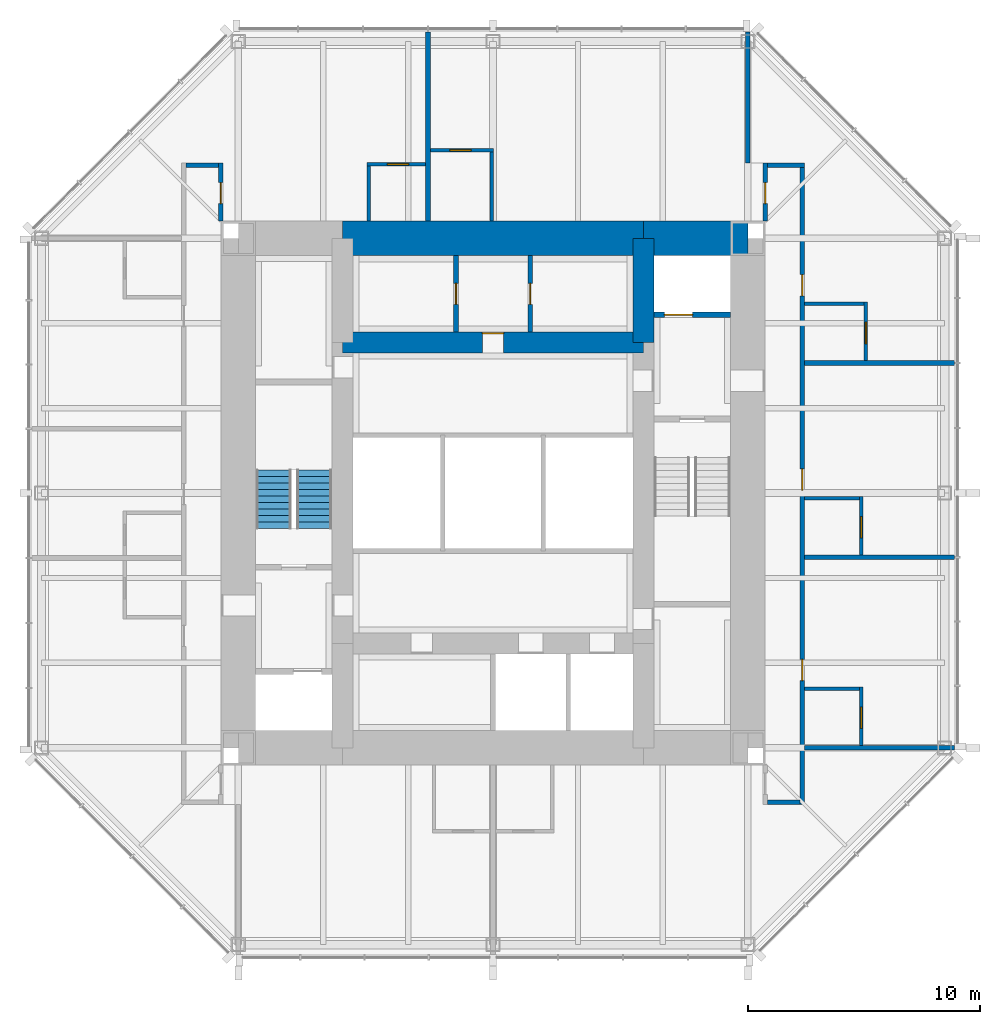
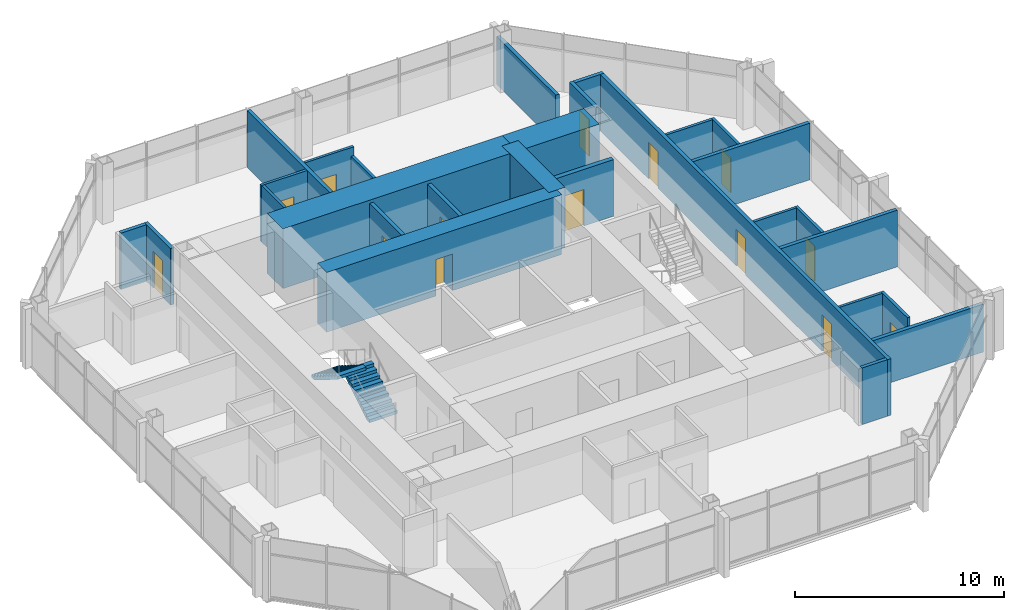
# One storey, part 9 of 11: 28 walls, 14 doors, 2 stair flights, 14 openings, 1 element without a shape of its own.
"""IFC4 building model written with IfcOpenShell, lengths in metres."""

from ifc_helpers import new_model, si_unit, direction, frame, frame_2d, origin, place, context, subcontext, project, spatial, polyline, rectangle, outline, extrude, material, layer, layer_set, type_object, element, fill, aggregate, save


model = new_model("IFC4")

# Units and contexts
model_context = context("Model", 3, precision=1e-05, world=origin(), true_north=direction((0.0, 1.0)))
body_context = subcontext(model_context, "Body", "Model", "MODEL_VIEW")
ifc_project = project(units=[si_unit("LENGTHUNIT", "METRE"), si_unit("AREAUNIT", "SQUARE_METRE"), si_unit("VOLUMEUNIT", "CUBIC_METRE"), si_unit("PLANEANGLEUNIT", "RADIAN"), si_unit("MASSUNIT", "GRAM", prefix="KILO")], contexts=[model_context])

# Site, building, storey
site_placement = place(None, origin())
site = spatial("IfcSite", under=ifc_project, at=site_placement, CompositionType="ELEMENT")
building_placement = place(site_placement, origin())
building = spatial("IfcBuilding", under=site, at=building_placement, Name="Trevanion Tower", CompositionType="ELEMENT")
storey_placement = place(building_placement, frame((0.0, 0.0, 239.699951171875)))
storey = spatial("IfcBuildingStorey", under=building, at=storey_placement, Name="L58", CompositionType="ELEMENT", Elevation=239.699951171875)

# Walls
ifc_material_1 = material(Name="Concrete 10,000 psi", Category="concrete")
ifc_layer_1 = layer(ifc_material_1, 1.5)
ifc_layer_set_1 = layer_set([ifc_layer_1], Name="CW1 core wall 1500")
wall_type_1 = type_object("IfcWallType", Name="CW1 core wall 1500", PredefinedType="SHEAR", material=ifc_layer_set_1)
wall_1_placement = place(storey_placement, frame((11.0, 11.0, 0.0), z_axis=(0.0, 0.0, 1.0), x_axis=(-1.0, 0.0, 0.0)))
element("IfcWall", 1, at=wall_1_placement, inside=storey, type_object=wall_type_1, Name="CW1 CN1 L58", PredefinedType="SHEAR", context=body_context, shape_type="SweptSolid", body=[
    extrude(rectangle(XDim=4.5, YDim=1.5, at=frame_2d((2.25, 0.0))), origin(), (0.0, 0.0, 1.0), 3.5),
])
wall_2_placement = place(storey_placement, frame((6.5, 11.0, 0.0), z_axis=(0.0, 0.0, 1.0), x_axis=(-1.0, 0.0, 0.0)))
element("IfcWall", 2, at=wall_2_placement, inside=storey, type_object=wall_type_1, Name="CW1 CN2 L58", PredefinedType="SHEAR", context=body_context, shape_type="SweptSolid", body=[
    extrude(rectangle(XDim=13.0, YDim=1.5, at=frame_2d((6.5, 0.0))), origin(), (0.0, 0.0, 1.0), 3.5),
])
ifc_material_2 = material(Name="Concrete 10,000 psi", Category="concrete")
ifc_layer_2 = layer(ifc_material_2, 0.89990234375)
ifc_layer_set_2 = layer_set([ifc_layer_2], Name="CW2 core wall 900")
wall_type_2 = type_object("IfcWallType", Name="CW2 core wall 900", PredefinedType="SHEAR", material=ifc_layer_set_2)
wall_3_placement = place(storey_placement, frame((6.5, 6.5, 0.0), z_axis=(0.0, 0.0, 1.0), x_axis=(0.0, 1.0, 0.0)))
element("IfcWall", 3, at=wall_3_placement, inside=storey, type_object=wall_type_2, Name="CW2 RE3 L58", PredefinedType="SHEAR", context=body_context, shape_type="SweptSolid", body=[
    extrude(rectangle(XDim=4.5, YDim=0.89990234375, at=frame_2d((2.25, 0.0))), origin(), (0.0, 0.0, 1.0), 3.5),
])

# Wall, opening, door
wall_4_placement = place(storey_placement, frame((6.5, 6.5, 0.0), z_axis=(0.0, 0.0, 1.0), x_axis=(-1.0, 0.0, 0.0)))
wall_4 = element("IfcWall", 4, at=wall_4_placement, inside=storey, type_object=wall_type_2, Name="CW2 RN L58", PredefinedType="SHEAR", context=body_context, shape_type="SweptSolid", body=[
    extrude(rectangle(XDim=13.0, YDim=0.89990234375, at=frame_2d((6.5, 0.0))), origin(), (0.0, 0.0, 1.0), 3.5),
])
opening_1_placement = place(wall_4_placement, frame((6.04248046875, 0.0, 0.0)))
opening_1 = element("IfcOpeningElement", 5, at=opening_1_placement, cuts=wall_4, Name="Opening 58-014", PredefinedType="OPENING", context=body_context, shape_type="SweptSolid", body=[
    extrude(rectangle(XDim=0.9150390625, YDim=2.134033203125, at=frame_2d((0.45751953125, 1.06689453125))), frame((0.0, 0.4599609375, 0.0), z_axis=(0.0, -1.0, 0.0), x_axis=(1.0, 0.0, 0.0)), (0.0, 0.0, 1.0), 0.919921875),
])
ifc_material_3 = material(Name="Hollow metal, fire rated", Category="steel")
door_type_1 = type_object("IfcDoorType", Name="D5 service room door", OperationType="SINGLE_SWING_RIGHT", PredefinedType="DOOR", material=ifc_material_3)
door_1_placement = place(opening_1_placement, origin())
door_1 = element("IfcDoor", 6, at=door_1_placement, inside=storey, type_object=door_type_1, Name="Door 58-014", OperationType="SINGLE_SWING_RIGHT", OverallHeight=2.134033203125, OverallWidth=0.9150390625, PredefinedType="DOOR", context=body_context, shape_type="SweptSolid", body=[
    extrude(rectangle(XDim=0.9150390625, YDim=2.134033203125, at=frame_2d((0.45751953125, 1.06689453125))), frame((0.0, -0.375, 0.0), z_axis=(0.0, -1.0, 0.0), x_axis=(1.0, 0.0, 0.0)), (0.0, 0.0, 1.0), 0.050048828125),
])
fill(opening_1, door_1)

ifc_material_4 = material(Name="Gypsum board on steel studs", Category="steel")
ifc_layer_3 = layer(ifc_material_4, 0.14990234375)
ifc_layer_set_3 = layer_set([ifc_layer_3], Name="PT1 partition 150")
wall_type_3 = type_object("IfcWallType", Name="PT1 partition 150", PredefinedType="PARTITIONING", material=ifc_layer_set_3)
wall_5_placement = place(storey_placement, frame((15.89990234375, -10.89990234375, 0.0), z_axis=(0.0, 0.0, 1.0), x_axis=(0.0, 1.0, 0.0)))
wall_5 = element("IfcWall", 7, at=wall_5_placement, inside=storey, type_object=wall_type_3, Name="PT1 L58 BA00", PredefinedType="PARTITIONING", context=body_context, shape_type="SweptSolid", body=[
    extrude(rectangle(XDim=2.52490234375, YDim=0.14990234375, at=frame_2d((1.262451171875, 0.0))), origin(), (0.0, 0.0, 1.0), 3.31005859375),
])
opening_2_placement = place(wall_5_placement, frame((0.742431640625, 0.0, 0.0)))
opening_2 = element("IfcOpeningElement", 8, at=opening_2_placement, cuts=wall_5, Name="Opening 58-017", PredefinedType="OPENING", context=body_context, shape_type="SweptSolid", body=[
    extrude(rectangle(XDim=0.9150390625, YDim=2.031982421875, at=frame_2d((0.45751953125, 1.01611328125))), frame((0.0, 0.0849609375, 0.0), z_axis=(0.0, -1.0, 0.0), x_axis=(1.0, 0.0, 0.0)), (0.0, 0.0, 1.0), 0.169921875),
])
ifc_material_5 = material(Name="Timber veneer", Category="wood")
door_type_2 = type_object("IfcDoorType", Name="D7 bathroom door", OperationType="SINGLE_SWING_LEFT", PredefinedType="DOOR", material=ifc_material_5)
door_2_placement = place(opening_2_placement, origin())
door_2 = element("IfcDoor", 9, at=door_2_placement, inside=storey, type_object=door_type_2, Name="Door 58-017", OperationType="SINGLE_SWING_LEFT", OverallHeight=2.031982421875, OverallWidth=0.9150390625, PredefinedType="DOOR", context=body_context, shape_type="SweptSolid", body=[
    extrude(rectangle(XDim=0.9150390625, YDim=2.031982421875, at=frame_2d((0.45751953125, 1.01611328125))), frame((0.0, 0.02490234375, 0.0), z_axis=(0.0, -1.0, 0.0), x_axis=(1.0, 0.0, 0.0)), (0.0, 0.0, 1.0), 0.050048828125),
])
fill(opening_2, door_2)

# Wall
wall_6_placement = place(storey_placement, frame((13.449951171875, -8.449951171875, 0.0), z_axis=(0.0, 0.0, 1.0), x_axis=(1.0, 0.0, 0.0)))
element("IfcWall", 10, at=wall_6_placement, inside=storey, type_object=wall_type_3, Name="PT1 L58 BB00", PredefinedType="PARTITIONING", context=body_context, shape_type="SweptSolid", body=[
    extrude(rectangle(XDim=2.375, YDim=0.14990234375, at=frame_2d((1.1875, 0.0))), origin(), (0.0, 0.0, 1.0), 3.31005859375),
])

# Wall, opening, door
wall_7_placement = place(storey_placement, frame((15.89990234375, -2.675048828125, 0.0), z_axis=(0.0, 0.0, 1.0), x_axis=(0.0, 1.0, 0.0)))
wall_7 = element("IfcWall", 11, at=wall_7_placement, inside=storey, type_object=wall_type_3, Name="PT1 L58 BA01", PredefinedType="PARTITIONING", context=body_context, shape_type="SweptSolid", body=[
    extrude(rectangle(XDim=2.525146484375, YDim=0.14990234375, at=frame_2d((1.2626953125, 0.0))), origin(), (0.0, 0.0, 1.0), 3.31005859375),
])
opening_3_placement = place(wall_7_placement, frame((0.742431640625, 0.0, 0.0)))
opening_3 = element("IfcOpeningElement", 12, at=opening_3_placement, cuts=wall_7, Name="Opening 58-019", PredefinedType="OPENING", context=body_context, shape_type="SweptSolid", body=[
    extrude(rectangle(XDim=0.9150390625, YDim=2.031982421875, at=frame_2d((0.45751953125, 1.01611328125))), frame((0.0, 0.0849609375, 0.0), z_axis=(0.0, -1.0, 0.0), x_axis=(1.0, 0.0, 0.0)), (0.0, 0.0, 1.0), 0.169921875),
])
door_3_placement = place(opening_3_placement, origin())
door_3 = element("IfcDoor", 13, at=door_3_placement, inside=storey, type_object=door_type_2, Name="Door 58-019", OperationType="SINGLE_SWING_LEFT", OverallHeight=2.031982421875, OverallWidth=0.9150390625, PredefinedType="DOOR", context=body_context, shape_type="SweptSolid", body=[
    extrude(rectangle(XDim=0.9150390625, YDim=2.031982421875, at=frame_2d((0.45751953125, 1.01611328125))), frame((0.0, 0.02490234375, 0.0), z_axis=(0.0, -1.0, 0.0), x_axis=(1.0, 0.0, 0.0)), (0.0, 0.0, 1.0), 0.050048828125),
])
fill(opening_3, door_3)

# Wall
wall_8_placement = place(storey_placement, frame((13.449951171875, -0.22509765625, 0.0), z_axis=(0.0, 0.0, 1.0), x_axis=(1.0, 0.0, 0.0)))
element("IfcWall", 14, at=wall_8_placement, inside=storey, type_object=wall_type_3, Name="PT1 L58 BB01", PredefinedType="PARTITIONING", context=body_context, shape_type="SweptSolid", body=[
    extrude(rectangle(XDim=2.375, YDim=0.14990234375, at=frame_2d((1.1875, 0.0))), origin(), (0.0, 0.0, 1.0), 3.31005859375),
])

# Wall, opening, door
wall_9_placement = place(storey_placement, frame((16.10009765625, 5.714111328125, 0.0), z_axis=(0.0, 0.0, 1.0), x_axis=(0.0, 1.0, 0.0)))
wall_9 = element("IfcWall", 15, at=wall_9_placement, inside=storey, type_object=wall_type_3, Name="PT1 L58 BA02", PredefinedType="PARTITIONING", context=body_context, shape_type="SweptSolid", body=[
    extrude(rectangle(XDim=2.52490234375, YDim=0.14990234375, at=frame_2d((1.262451171875, 0.0))), origin(), (0.0, 0.0, 1.0), 3.31005859375),
])
opening_4_placement = place(wall_9_placement, frame((0.742431640625, 0.0, 0.0)))
opening_4 = element("IfcOpeningElement", 16, at=opening_4_placement, cuts=wall_9, Name="Opening 58-021", PredefinedType="OPENING", context=body_context, shape_type="SweptSolid", body=[
    extrude(rectangle(XDim=0.9150390625, YDim=2.031982421875, at=frame_2d((0.45751953125, 1.01611328125))), frame((0.0, 0.0849609375, 0.0), z_axis=(0.0, -1.0, 0.0), x_axis=(1.0, 0.0, 0.0)), (0.0, 0.0, 1.0), 0.169921875),
])
door_4_placement = place(opening_4_placement, origin())
door_4 = element("IfcDoor", 17, at=door_4_placement, inside=storey, type_object=door_type_2, Name="Door 58-021", OperationType="SINGLE_SWING_LEFT", OverallHeight=2.031982421875, OverallWidth=0.9150390625, PredefinedType="DOOR", context=body_context, shape_type="SweptSolid", body=[
    extrude(rectangle(XDim=0.9150390625, YDim=2.031982421875, at=frame_2d((0.45751953125, 1.01611328125))), frame((0.0, 0.02490234375, 0.0), z_axis=(0.0, -1.0, 0.0), x_axis=(1.0, 0.0, 0.0)), (0.0, 0.0, 1.0), 0.050048828125),
])
fill(opening_4, door_4)

# Wall
wall_10_placement = place(storey_placement, frame((13.449951171875, 8.1640625, 0.0), z_axis=(0.0, 0.0, 1.0), x_axis=(1.0, 0.0, 0.0)))
element("IfcWall", 18, at=wall_10_placement, inside=storey, type_object=wall_type_3, Name="PT1 L58 BB02", PredefinedType="PARTITIONING", context=body_context, shape_type="SweptSolid", body=[
    extrude(rectangle(XDim=2.574951171875, YDim=0.14990234375, at=frame_2d((1.28759765625, 0.0))), origin(), (0.0, 0.0, 1.0), 3.31005859375),
])

# Wall, opening, door
wall_11_placement = place(storey_placement, frame((0.01806640625, 14.800048828125, 0.0), z_axis=(0.0, 0.0, 1.0), x_axis=(-1.0, 0.0, 0.0)))
wall_11 = element("IfcWall", 19, at=wall_11_placement, inside=storey, type_object=wall_type_3, Name="PT1 L58 BA10", PredefinedType="PARTITIONING", context=body_context, shape_type="SweptSolid", body=[
    extrude(rectangle(XDim=2.72509765625, YDim=0.14990234375, at=frame_2d((1.362548828125, 0.0))), origin(), (0.0, 0.0, 1.0), 3.31005859375),
])
opening_5_placement = place(wall_11_placement, frame((0.967529296875, 0.0, 0.0)))
opening_5 = element("IfcOpeningElement", 20, at=opening_5_placement, cuts=wall_11, Name="Opening 58-025", PredefinedType="OPENING", context=body_context, shape_type="SweptSolid", body=[
    extrude(rectangle(XDim=0.9150390625, YDim=2.031982421875, at=frame_2d((0.45751953125, 1.01611328125))), frame((0.0, 0.0849609375, 0.0), z_axis=(0.0, -1.0, 0.0), x_axis=(1.0, 0.0, 0.0)), (0.0, 0.0, 1.0), 0.169921875),
])
door_5_placement = place(opening_5_placement, origin())
door_5 = element("IfcDoor", 21, at=door_5_placement, inside=storey, type_object=door_type_2, Name="Door 58-025", OperationType="SINGLE_SWING_LEFT", OverallHeight=2.031982421875, OverallWidth=0.9150390625, PredefinedType="DOOR", context=body_context, shape_type="SweptSolid", body=[
    extrude(rectangle(XDim=0.9150390625, YDim=2.031982421875, at=frame_2d((0.45751953125, 1.01611328125))), frame((0.0, 0.02490234375, 0.0), z_axis=(0.0, -1.0, 0.0), x_axis=(1.0, 0.0, 0.0)), (0.0, 0.0, 1.0), 0.050048828125),
])
fill(opening_5, door_5)

# Wall
wall_12_placement = place(storey_placement, frame((-0.056884765625, 11.75, 0.0), z_axis=(0.0, 0.0, 1.0), x_axis=(0.0, 1.0, 0.0)))
element("IfcWall", 22, at=wall_12_placement, inside=storey, type_object=wall_type_3, Name="PT1 L58 BB10", PredefinedType="PARTITIONING", context=body_context, shape_type="SweptSolid", body=[
    extrude(rectangle(XDim=2.97509765625, YDim=0.14990234375, at=frame_2d((1.487548828125, 0.0))), origin(), (0.0, 0.0, 1.0), 2.802001953125),
])

# Wall, opening, door
wall_13_placement = place(storey_placement, frame((-2.906982421875, 14.199951171875, 0.0), z_axis=(0.0, 0.0, 1.0), x_axis=(-1.0, 0.0, 0.0)))
wall_13 = element("IfcWall", 23, at=wall_13_placement, inside=storey, type_object=wall_type_3, Name="PT1 L58 BA11", PredefinedType="PARTITIONING", context=body_context, shape_type="SweptSolid", body=[
    extrude(rectangle(XDim=2.52490234375, YDim=0.14990234375, at=frame_2d((1.262451171875, 0.0))), origin(), (0.0, 0.0, 1.0), 3.31005859375),
])
opening_6_placement = place(wall_13_placement, frame((0.742431640625, 0.0, 0.0)))
opening_6 = element("IfcOpeningElement", 24, at=opening_6_placement, cuts=wall_13, Name="Opening 58-026", PredefinedType="OPENING", context=body_context, shape_type="SweptSolid", body=[
    extrude(rectangle(XDim=0.9150390625, YDim=2.031982421875, at=frame_2d((0.45751953125, 1.01611328125))), frame((0.0, 0.0849609375, 0.0), z_axis=(0.0, -1.0, 0.0), x_axis=(1.0, 0.0, 0.0)), (0.0, 0.0, 1.0), 0.169921875),
])
door_6_placement = place(opening_6_placement, origin())
door_6 = element("IfcDoor", 25, at=door_6_placement, inside=storey, type_object=door_type_2, Name="Door 58-026", OperationType="SINGLE_SWING_LEFT", OverallHeight=2.031982421875, OverallWidth=0.9150390625, PredefinedType="DOOR", context=body_context, shape_type="SweptSolid", body=[
    extrude(rectangle(XDim=0.9150390625, YDim=2.031982421875, at=frame_2d((0.45751953125, 1.01611328125))), frame((0.0, 0.02490234375, 0.0), z_axis=(0.0, -1.0, 0.0), x_axis=(1.0, 0.0, 0.0)), (0.0, 0.0, 1.0), 0.050048828125),
])
fill(opening_6, door_6)

# Wall
wall_14_placement = place(storey_placement, frame((-5.35693359375, 11.75, 0.0), z_axis=(0.0, 0.0, 1.0), x_axis=(0.0, 1.0, 0.0)))
element("IfcWall", 26, at=wall_14_placement, inside=storey, type_object=wall_type_3, Name="PT1 L58 BB11", PredefinedType="PARTITIONING", context=body_context, shape_type="SweptSolid", body=[
    extrude(rectangle(XDim=2.375, YDim=0.14990234375, at=frame_2d((1.1875, 0.0))), origin(), (0.0, 0.0, 1.0), 3.31005859375),
])

# Wall, opening, door
ifc_material_6 = material(Name="Concrete masonry, grouted", Category="masonry")
ifc_layer_4 = layer(ifc_material_6, 0.199951171875)
ifc_layer_set_4 = layer_set([ifc_layer_4], Name="PT2 partition 200 1 HR")
wall_type_4 = type_object("IfcWallType", Name="PT2 partition 200 1 HR", PredefinedType="PARTITIONING", material=ifc_layer_set_4)
wall_15_placement = place(storey_placement, frame((-1.60009765625, 6.949951171875, 0.0), z_axis=(0.0, 0.0, 1.0), x_axis=(0.0, 1.0, 0.0)))
wall_15 = element("IfcWall", 27, at=wall_15_placement, inside=storey, type_object=wall_type_4, Name="PT2 L58 HKP1", PredefinedType="PARTITIONING", context=body_context, shape_type="SweptSolid", body=[
    extrude(rectangle(XDim=3.300048828125, YDim=0.199951171875, at=frame_2d((1.64990234375, 0.0))), origin(), (0.0, 0.0, 1.0), 3.31005859375),
])
opening_7_placement = place(wall_15_placement, frame((1.1923828125, 0.0, 0.0)))
opening_7 = element("IfcOpeningElement", 28, at=opening_7_placement, cuts=wall_15, Name="Opening 58-015", PredefinedType="OPENING", context=body_context, shape_type="SweptSolid", body=[
    extrude(rectangle(XDim=0.9150390625, YDim=2.134033203125, at=frame_2d((0.45751953125, 1.06689453125))), frame((0.0, 0.10986328125, 0.0), z_axis=(0.0, -1.0, 0.0), x_axis=(1.0, 0.0, 0.0)), (0.0, 0.0, 1.0), 0.219970703125),
])
door_7_placement = place(opening_7_placement, origin())
door_7 = element("IfcDoor", 29, at=door_7_placement, inside=storey, type_object=door_type_1, Name="Door 58-015", OperationType="SINGLE_SWING_RIGHT", OverallHeight=2.134033203125, OverallWidth=0.9150390625, PredefinedType="DOOR", context=body_context, shape_type="SweptSolid", body=[
    extrude(rectangle(XDim=0.9150390625, YDim=2.134033203125, at=frame_2d((0.45751953125, 1.06689453125))), frame((0.0, 0.02490234375, 0.0), z_axis=(0.0, -1.0, 0.0), x_axis=(1.0, 0.0, 0.0)), (0.0, 0.0, 1.0), 0.050048828125),
])
fill(opening_7, door_7)

wall_16_placement = place(storey_placement, frame((1.60009765625, 6.949951171875, 0.0), z_axis=(0.0, 0.0, 1.0), x_axis=(0.0, 1.0, 0.0)))
wall_16 = element("IfcWall", 30, at=wall_16_placement, inside=storey, type_object=wall_type_4, Name="PT2 L58 HKP2", PredefinedType="PARTITIONING", context=body_context, shape_type="SweptSolid", body=[
    extrude(rectangle(XDim=3.300048828125, YDim=0.199951171875, at=frame_2d((1.64990234375, 0.0))), origin(), (0.0, 0.0, 1.0), 3.31005859375),
])
opening_8_placement = place(wall_16_placement, frame((1.1923828125, 0.0, 0.0)))
opening_8 = element("IfcOpeningElement", 31, at=opening_8_placement, cuts=wall_16, Name="Opening 58-016", PredefinedType="OPENING", context=body_context, shape_type="SweptSolid", body=[
    extrude(rectangle(XDim=0.9150390625, YDim=2.134033203125, at=frame_2d((0.45751953125, 1.06689453125))), frame((0.0, 0.10986328125, 0.0), z_axis=(0.0, -1.0, 0.0), x_axis=(1.0, 0.0, 0.0)), (0.0, 0.0, 1.0), 0.219970703125),
])
door_8_placement = place(opening_8_placement, origin())
door_8 = element("IfcDoor", 32, at=door_8_placement, inside=storey, type_object=door_type_1, Name="Door 58-016", OperationType="SINGLE_SWING_RIGHT", OverallHeight=2.134033203125, OverallWidth=0.9150390625, PredefinedType="DOOR", context=body_context, shape_type="SweptSolid", body=[
    extrude(rectangle(XDim=0.9150390625, YDim=2.134033203125, at=frame_2d((0.45751953125, 1.06689453125))), frame((0.0, 0.02490234375, 0.0), z_axis=(0.0, -1.0, 0.0), x_axis=(1.0, 0.0, 0.0)), (0.0, 0.0, 1.0), 0.050048828125),
])
fill(opening_8, door_8)

wall_17_placement = place(storey_placement, frame((11.75, 11.75, 0.0), z_axis=(0.0, 0.0, 1.0), x_axis=(0.0, 1.0, 0.0)))
wall_17 = element("IfcWall", 33, at=wall_17_placement, inside=storey, type_object=wall_type_4, Name="PT2 L58 HO1a", PredefinedType="PARTITIONING", context=body_context, shape_type="SweptSolid", body=[
    extrude(rectangle(XDim=2.5, YDim=0.199951171875, at=frame_2d((1.25, 0.0))), origin(), (0.0, 0.0, 1.0), 3.31005859375),
])
opening_9_placement = place(wall_17_placement, frame((0.742431640625, 0.0, 0.0)))
opening_9 = element("IfcOpeningElement", 34, at=opening_9_placement, cuts=wall_17, Name="Opening 58-023", PredefinedType="OPENING", context=body_context, shape_type="SweptSolid", body=[
    extrude(rectangle(XDim=0.9150390625, YDim=2.134033203125, at=frame_2d((0.45751953125, 1.06689453125))), frame((0.0, 0.10986328125, 0.0), z_axis=(0.0, -1.0, 0.0), x_axis=(1.0, 0.0, 0.0)), (0.0, 0.0, 1.0), 0.219970703125),
])
ifc_material_7 = material(Name="Timber veneer, fire rated", Category="wood")
door_type_3 = type_object("IfcDoorType", Name="D6 guest room entrance door", OperationType="SINGLE_SWING_LEFT", PredefinedType="DOOR", material=ifc_material_7)
door_9_placement = place(opening_9_placement, origin())
door_9 = element("IfcDoor", 35, at=door_9_placement, inside=storey, type_object=door_type_3, Name="Door 58-023", OperationType="SINGLE_SWING_LEFT", OverallHeight=2.134033203125, OverallWidth=0.9150390625, PredefinedType="DOOR", context=body_context, shape_type="SweptSolid", body=[
    extrude(rectangle(XDim=0.9150390625, YDim=2.134033203125, at=frame_2d((0.45751953125, 1.06689453125))), frame((0.0, 0.02490234375, 0.0), z_axis=(0.0, -1.0, 0.0), x_axis=(1.0, 0.0, 0.0)), (0.0, 0.0, 1.0), 0.050048828125),
])
fill(opening_9, door_9)

wall_18_placement = place(storey_placement, frame((-11.75, 11.75, 0.0), z_axis=(0.0, 0.0, 1.0), x_axis=(0.0, 1.0, 0.0)))
wall_18 = element("IfcWall", 36, at=wall_18_placement, inside=storey, type_object=wall_type_4, Name="PT2 L58 HO1b", PredefinedType="PARTITIONING", context=body_context, shape_type="SweptSolid", body=[
    extrude(rectangle(XDim=2.5, YDim=0.199951171875, at=frame_2d((1.25, 0.0))), origin(), (0.0, 0.0, 1.0), 3.31005859375),
])
opening_10_placement = place(wall_18_placement, frame((0.742431640625, 0.0, 0.0)))
opening_10 = element("IfcOpeningElement", 37, at=opening_10_placement, cuts=wall_18, Name="Opening 58-024", PredefinedType="OPENING", context=body_context, shape_type="SweptSolid", body=[
    extrude(rectangle(XDim=0.9150390625, YDim=2.134033203125, at=frame_2d((0.45751953125, 1.06689453125))), frame((0.0, 0.10986328125, 0.0), z_axis=(0.0, -1.0, 0.0), x_axis=(1.0, 0.0, 0.0)), (0.0, 0.0, 1.0), 0.219970703125),
])
door_10_placement = place(opening_10_placement, origin())
door_10 = element("IfcDoor", 38, at=door_10_placement, inside=storey, type_object=door_type_3, Name="Door 58-024", OperationType="SINGLE_SWING_LEFT", OverallHeight=2.134033203125, OverallWidth=0.9150390625, PredefinedType="DOOR", context=body_context, shape_type="SweptSolid", body=[
    extrude(rectangle(XDim=0.9150390625, YDim=2.134033203125, at=frame_2d((0.45751953125, 1.06689453125))), frame((0.0, 0.02490234375, 0.0), z_axis=(0.0, -1.0, 0.0), x_axis=(1.0, 0.0, 0.0)), (0.0, 0.0, 1.0), 0.050048828125),
])
fill(opening_10, door_10)

# Walls
wall_19_placement = place(storey_placement, frame((13.449951171875, 14.14990234375, 0.0), z_axis=(0.0, 0.0, 1.0), x_axis=(-1.0, 0.0, 0.0)))
element("IfcWall", 39, at=wall_19_placement, inside=storey, type_object=wall_type_4, Name="PT2 L58 HC1ca", PredefinedType="PARTITIONING", context=body_context, shape_type="SweptSolid", body=[
    extrude(rectangle(XDim=1.599853515625, YDim=0.199951171875, at=frame_2d((0.7998046875, 0.0))), origin(), (0.0, 0.0, 1.0), 3.31005859375),
])
for number, where, z_axis, x_axis, name in (
    (40, (-11.85009765625, 14.14990234375, 0.0), (0.0, 0.0, 1.0), (-1.0, 0.0, 0.0), "PT2 L58 HC1cb"),
    (41, (11.85009765625, -13.35009765625, 0.0), (0.0, 0.0, 1.0), (1.0, 0.0, 0.0), "PT2 L58 HC3cb"),
):
    element("IfcWall", number, at=place(storey_placement, frame(where, z_axis=z_axis, x_axis=x_axis)), inside=storey, type_object=wall_type_4, Name=name, PredefinedType="PARTITIONING", context=body_context, shape_type="SweptSolid", body=[
        extrude(rectangle(XDim=1.39990234375, YDim=0.199951171875, at=frame_2d((0.699951171875, 0.0))), origin(), (0.0, 0.0, 1.0), 3.31005859375),
    ])

# Wall, openings, doors
wall_20_placement = place(storey_placement, frame((13.35009765625, -13.449951171875, 0.0), z_axis=(0.0, 0.0, 1.0), x_axis=(0.0, 1.0, 0.0)))
wall_20 = element("IfcWall", 42, at=wall_20_placement, inside=storey, type_object=wall_type_4, Name="PT2 L58 HC0", PredefinedType="PARTITIONING", context=body_context, shape_type="SweptSolid", body=[
    extrude(rectangle(XDim=27.5, YDim=0.199951171875, at=frame_2d((13.75, 0.0))), origin(), (0.0, 0.0, 1.0), 3.31005859375),
])
opening_11_placement = place(wall_20_placement, frame((5.3525390625, 0.0, 0.0)))
opening_11 = element("IfcOpeningElement", 43, at=opening_11_placement, cuts=wall_20, Name="Opening 58-018", PredefinedType="OPENING", context=body_context, shape_type="SweptSolid", body=[
    extrude(rectangle(XDim=0.9150390625, YDim=2.134033203125, at=frame_2d((0.45751953125, 1.06689453125))), frame((0.0, 0.10986328125, 0.0), z_axis=(0.0, -1.0, 0.0), x_axis=(1.0, 0.0, 0.0)), (0.0, 0.0, 1.0), 0.219970703125),
])
opening_12_placement = place(wall_20_placement, frame((13.577392578125, 0.0, 0.0)))
opening_12 = element("IfcOpeningElement", 44, at=opening_12_placement, cuts=wall_20, Name="Opening 58-020", PredefinedType="OPENING", context=body_context, shape_type="SweptSolid", body=[
    extrude(rectangle(XDim=0.9150390625, YDim=2.134033203125, at=frame_2d((0.45751953125, 1.06689453125))), frame((0.0, 0.10986328125, 0.0), z_axis=(0.0, -1.0, 0.0), x_axis=(1.0, 0.0, 0.0)), (0.0, 0.0, 1.0), 0.219970703125),
])
opening_13_placement = place(wall_20_placement, frame((21.966552734375, 0.0, 0.0)))
opening_13 = element("IfcOpeningElement", 45, at=opening_13_placement, cuts=wall_20, Name="Opening 58-022", PredefinedType="OPENING", context=body_context, shape_type="SweptSolid", body=[
    extrude(rectangle(XDim=0.9150390625, YDim=2.134033203125, at=frame_2d((0.45751953125, 1.06689453125))), frame((0.0, 0.10986328125, 0.0), z_axis=(0.0, -1.0, 0.0), x_axis=(1.0, 0.0, 0.0)), (0.0, 0.0, 1.0), 0.219970703125),
])
door_11_placement = place(opening_11_placement, origin())
door_11 = element("IfcDoor", 46, at=door_11_placement, inside=storey, type_object=door_type_3, Name="Door 58-018", OperationType="SINGLE_SWING_LEFT", OverallHeight=2.134033203125, OverallWidth=0.9150390625, PredefinedType="DOOR", context=body_context, shape_type="SweptSolid", body=[
    extrude(rectangle(XDim=0.9150390625, YDim=2.134033203125, at=frame_2d((0.45751953125, 1.06689453125))), frame((0.0, 0.02490234375, 0.0), z_axis=(0.0, -1.0, 0.0), x_axis=(1.0, 0.0, 0.0)), (0.0, 0.0, 1.0), 0.050048828125),
])
fill(opening_11, door_11)
door_12_placement = place(opening_12_placement, origin())
door_12 = element("IfcDoor", 47, at=door_12_placement, inside=storey, type_object=door_type_3, Name="Door 58-020", OperationType="SINGLE_SWING_LEFT", OverallHeight=2.134033203125, OverallWidth=0.9150390625, PredefinedType="DOOR", context=body_context, shape_type="SweptSolid", body=[
    extrude(rectangle(XDim=0.9150390625, YDim=2.134033203125, at=frame_2d((0.45751953125, 1.06689453125))), frame((0.0, 0.02490234375, 0.0), z_axis=(0.0, -1.0, 0.0), x_axis=(1.0, 0.0, 0.0)), (0.0, 0.0, 1.0), 0.050048828125),
])
fill(opening_12, door_12)
door_13_placement = place(opening_13_placement, origin())
door_13 = element("IfcDoor", 48, at=door_13_placement, inside=storey, type_object=door_type_3, Name="Door 58-022", OperationType="SINGLE_SWING_LEFT", OverallHeight=2.134033203125, OverallWidth=0.9150390625, PredefinedType="DOOR", context=body_context, shape_type="SweptSolid", body=[
    extrude(rectangle(XDim=0.9150390625, YDim=2.134033203125, at=frame_2d((0.45751953125, 1.06689453125))), frame((0.0, 0.02490234375, 0.0), z_axis=(0.0, -1.0, 0.0), x_axis=(1.0, 0.0, 0.0)), (0.0, 0.0, 1.0), 0.050048828125),
])
fill(opening_13, door_13)

# Walls
wall_21_placement = place(storey_placement, frame((13.449951171875, -11.0, 0.0), z_axis=(0.0, 0.0, 1.0), x_axis=(1.0, 0.0, 0.0)))
element("IfcWall", 49, at=wall_21_placement, inside=storey, type_object=wall_type_4, Name="PT2 L58 HD00", PredefinedType="PARTITIONING", context=body_context, shape_type="SweptSolid", body=[
    extrude(rectangle(XDim=6.465087890625, YDim=0.199951171875, at=frame_2d((3.232421875, 0.0))), origin(), (0.0, 0.0, 1.0), 2.802001953125),
])
for number, where, z_axis, x_axis, name in (
    (50, (13.449951171875, -2.77490234375, 0.0), (0.0, 0.0, 1.0), (1.0, 0.0, 0.0), "PT2 L58 HD01"),
    (51, (13.449951171875, 5.614013671875, 0.0), (0.0, 0.0, 1.0), (1.0, 0.0, 0.0), "PT2 L58 HD02"),
):
    element("IfcWall", number, at=place(storey_placement, frame(where, z_axis=z_axis, x_axis=x_axis)), inside=storey, type_object=wall_type_4, Name=name, PredefinedType="PARTITIONING", context=body_context, shape_type="SweptSolid", body=[
        extrude(rectangle(XDim=6.465087890625, YDim=0.199951171875, at=frame_2d((3.232421875, 0.0))), origin(), (0.0, 0.0, 1.0), 3.31005859375),
    ])
wall_22_placement = place(storey_placement, frame((11.0, 14.25, 0.0), z_axis=(0.0, 0.0, 1.0), x_axis=(0.0, 1.0, 0.0)))
element("IfcWall", 52, at=wall_22_placement, inside=storey, type_object=wall_type_4, Name="PT2 L58 HD10", PredefinedType="PARTITIONING", context=body_context, shape_type="SweptSolid", body=[
    extrude(rectangle(XDim=5.6650390625, YDim=0.199951171875, at=frame_2d((2.83251953125, 0.0))), origin(), (0.0, 0.0, 1.0), 2.802001953125),
])
wall_23_placement = place(storey_placement, frame((-2.806884765625, 11.75, 0.0), z_axis=(0.0, 0.0, 1.0), x_axis=(0.0, 1.0, 0.0)))
element("IfcWall", 53, at=wall_23_placement, inside=storey, type_object=wall_type_4, Name="PT2 L58 HD11", PredefinedType="PARTITIONING", context=body_context, shape_type="SweptSolid", body=[
    extrude(rectangle(XDim=8.1650390625, YDim=0.199951171875, at=frame_2d((4.08251953125, 0.0))), origin(), (0.0, 0.0, 1.0), 3.31005859375),
])

# Wall, opening, door
ifc_material_8 = material(Name="Concrete masonry, grouted, two-hour", Category="masonry")
ifc_layer_5 = layer(ifc_material_8, 0.25)
ifc_layer_set_5 = layer_set([ifc_layer_5], Name="PT3 partition 250 2 HR")
wall_type_5 = type_object("IfcWallType", Name="PT3 partition 250 2 HR", PredefinedType="PARTITIONING", material=ifc_layer_set_5)
wall_24_placement = place(storey_placement, frame((6.949951171875, 7.699951171875, 0.0), z_axis=(0.0, 0.0, 1.0), x_axis=(1.0, 0.0, 0.0)))
wall_24 = element("IfcWall", 54, at=wall_24_placement, inside=storey, type_object=wall_type_5, Name="PT3 L58 EP3", PredefinedType="PARTITIONING", context=body_context, shape_type="SweptSolid", body=[
    extrude(rectangle(XDim=3.300048828125, YDim=0.25, at=frame_2d((1.64990234375, 0.0))), origin(), (0.0, 0.0, 1.0), 3.31005859375),
])
opening_14_placement = place(wall_24_placement, frame((0.449951171875, 0.0, 0.0)))
opening_14 = element("IfcOpeningElement", 55, at=opening_14_placement, cuts=wall_24, Name="Opening 58-007", PredefinedType="OPENING", context=body_context, shape_type="SweptSolid", body=[
    extrude(rectangle(XDim=1.218994140625, YDim=2.134033203125, at=frame_2d((0.609375, 1.06689453125))), frame((0.0, 0.135009765625, 0.0), z_axis=(0.0, -1.0, 0.0), x_axis=(1.0, 0.0, 0.0)), (0.0, 0.0, 1.0), 0.27001953125),
])
ifc_material_9 = material(Name="Stainless steel, fire rated", Category="steel")
door_type_4 = type_object("IfcDoorType", Name="LD2 fire service lift landing door", OperationType="SLIDING_TO_LEFT", PredefinedType="DOOR", material=ifc_material_9)
door_14_placement = place(opening_14_placement, origin())
door_14 = element("IfcDoor", 56, at=door_14_placement, inside=storey, type_object=door_type_4, Name="Door 58-007", OperationType="SLIDING_TO_LEFT", OverallHeight=2.134033203125, OverallWidth=1.218994140625, PredefinedType="DOOR", context=body_context, shape_type="SweptSolid", body=[
    extrude(rectangle(XDim=1.218994140625, YDim=2.134033203125, at=frame_2d((0.609375, 1.06689453125))), frame((0.0, 0.02490234375, 0.0), z_axis=(0.0, -1.0, 0.0), x_axis=(1.0, 0.0, 0.0)), (0.0, 0.0, 1.0), 0.050048828125),
])
fill(opening_14, door_14)

# Stair, stair flights
ifc_material_10 = material(Name="Concrete 5,000 psi on steel stringers", Category="concrete")
stair_type = type_object("IfcStairType", Name="ST stair", PredefinedType="HALF_TURN_STAIR", material=ifc_material_10)
stair_placement = place(storey_placement, origin())
stair = element("IfcStair", 57, at=stair_placement, inside=storey, type_object=stair_type, Name="ST2 L58", PredefinedType="HALF_TURN_STAIR")
ifc_material_11 = material(Name="Concrete 5,000 psi in steel pan", Category="concrete")
stair_flight_type = type_object("IfcStairFlightType", Name="STF stair flight", PredefinedType="STRAIGHT", material=ifc_material_11)
stair_flight_1_placement = place(storey_placement, frame((-7.72509765625, -1.52490234375, 0.0), z_axis=(0.0, 0.0, 1.0), x_axis=(0.0, 1.0, 0.0)))
stair_flight_1 = element("IfcStairFlight", 58, at=stair_flight_1_placement, type_object=stair_flight_type, Name="ST2 flight 1", NumberOfRisers=10, NumberOfTreads=9, PredefinedType="STRAIGHT", RiserHeight=0.175, TreadLength=0.28, context=body_context, shape_type="SweptSolid", body=[
    extrude(outline(polyline([(0.0, 0.0), (0.0, 0.175048828125), (0.280029296875, 0.175048828125), (0.280029296875, 0.35009765625), (0.56005859375, 0.35009765625), (0.56005859375, 0.52490234375), (0.840087890625, 0.52490234375), (0.840087890625, 0.699951171875), (1.1201171875, 0.699951171875), (1.1201171875, 0.875), (1.39990234375, 0.875), (1.39990234375, 1.050048828125), (1.679931640625, 1.050048828125), (1.679931640625, 1.22509765625), (1.9599609375, 1.22509765625), (1.9599609375, 1.39990234375), (2.239990234375, 1.39990234375), (2.239990234375, 1.574951171875), (2.52001953125, 1.574951171875), (2.52001953125, 1.75), (2.52001953125, 1.398193359375), (0.28271484375, 0.0), (0.0, 0.0)])), frame((0.0, 0.77490234375, 0.0), z_axis=(0.0, -1.0, 0.0), x_axis=(1.0, 0.0, 0.0)), (0.0, 0.0, 1.0), 1.550048828125),
])
stair_flight_2_placement = place(storey_placement, frame((-9.47509765625, 0.9951171875, 1.75), z_axis=(0.0, 0.0, 1.0), x_axis=(0.0, -1.0, 0.0)))
stair_flight_2 = element("IfcStairFlight", 59, at=stair_flight_2_placement, type_object=stair_flight_type, Name="ST2 flight 2", NumberOfRisers=10, NumberOfTreads=9, PredefinedType="STRAIGHT", RiserHeight=0.175, TreadLength=0.28, context=body_context, shape_type="SweptSolid", body=[
    extrude(outline(polyline([(0.0, 0.0), (0.0, 0.175048828125), (0.280029296875, 0.175048828125), (0.280029296875, 0.35009765625), (0.56005859375, 0.35009765625), (0.56005859375, 0.52490234375), (0.840087890625, 0.52490234375), (0.840087890625, 0.699951171875), (1.1201171875, 0.699951171875), (1.1201171875, 0.875), (1.39990234375, 0.875), (1.39990234375, 1.050048828125), (1.679931640625, 1.050048828125), (1.679931640625, 1.22509765625), (1.9599609375, 1.22509765625), (1.9599609375, 1.39990234375), (2.239990234375, 1.39990234375), (2.239990234375, 1.574951171875), (2.52001953125, 1.574951171875), (2.52001953125, 1.75), (2.52001953125, 1.398193359375), (0.28271484375, 0.0), (0.0, 0.0)])), frame((0.0, 0.77490234375, 0.0), z_axis=(0.0, -1.0, 0.0), x_axis=(1.0, 0.0, 0.0)), (0.0, 0.0, 1.0), 1.550048828125),
])
aggregate(stair, [stair_flight_1, stair_flight_2])

save(model, "model.ifc")
